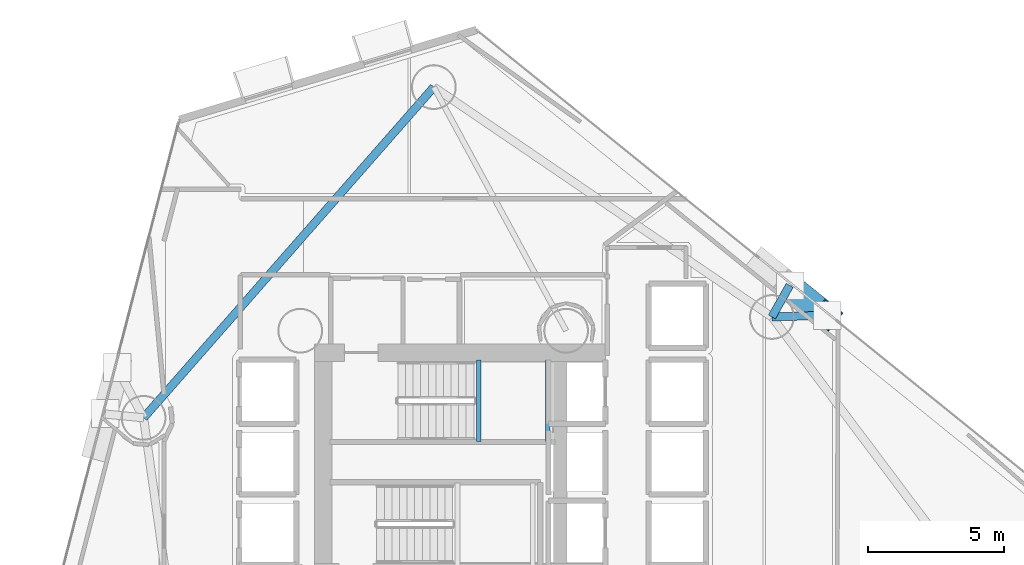
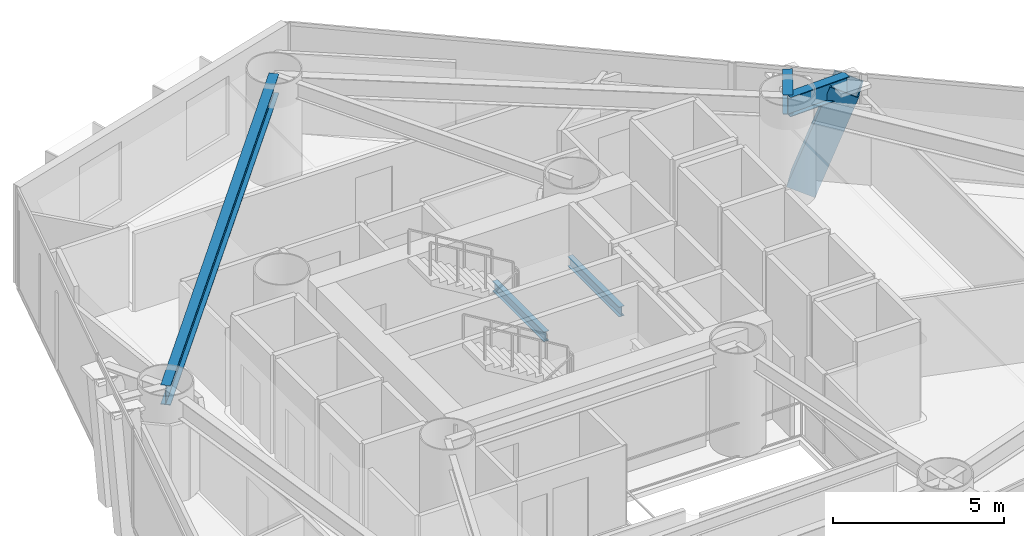
# One storey, part 8 of 23: 5 beams, 1 member.
"""IFC4 building model written with IfcOpenShell, lengths in metres."""

from ifc_helpers import new_model, si_unit, direction, frame, origin, origin_2d, place, context, subcontext, project, spatial, hollow_rectangle, i_section, extrude, material, material_profile, profile_set, type_object, element, save


model = new_model("IFC4")

# Units and contexts
model_context = context("Model", 3, precision=1e-05, world=origin(), true_north=direction((0.0, 1.0)))
body_context = subcontext(model_context, "Body", "Model", "MODEL_VIEW")
ifc_project = project(units=[si_unit("LENGTHUNIT", "METRE"), si_unit("AREAUNIT", "SQUARE_METRE"), si_unit("VOLUMEUNIT", "CUBIC_METRE"), si_unit("PLANEANGLEUNIT", "RADIAN"), si_unit("MASSUNIT", "GRAM", prefix="KILO")], contexts=[model_context])

# Site, building, storey
site_placement = place(None, origin())
site = spatial("IfcSite", under=ifc_project, at=site_placement, CompositionType="ELEMENT")
building_placement = place(site_placement, origin())
building = spatial("IfcBuilding", under=site, at=building_placement, Name="Qianvela Tower", CompositionType="ELEMENT")
storey_placement = place(building_placement, frame((0.0, 0.0, 82.10009765625)))
storey = spatial("IfcBuildingStorey", under=building, at=storey_placement, Name="L20", CompositionType="ELEMENT", Elevation=82.10009765625)

# Beams
ifc_material_1 = material(Name="Steel Q355B", Category="steel")
ifc_material_profile_1 = material_profile(ifc_material_1, i_section(OverallWidth=0.175048828125, OverallDepth=0.35009765625, WebThickness=0.007080078125, FlangeThickness=0.010986328125, at=origin_2d()), Name="HN350x175x7x11")
ifc_profile_set_1 = profile_set([ifc_material_profile_1], Name="Steel Q355B")
beam_type_1 = type_object("IfcBeamType", Name="BM-HN350-JOIST", PredefinedType="JOIST", material=ifc_profile_set_1)
for number, where, z_axis, x_axis, name in (
    (1, (35.179931640625, 29.4599609375, 1.474853515625), (0.0, 1.0, 0.0), (-1.0, 0.0, 0.0), "L20 Stair ST-1 Landing Support Beam 1.1"),
    (2, (37.719970703125, 29.4599609375, 1.474853515625), (0.0, 1.0, 0.0), (-1.0, 0.0, 0.0), "L20 Stair ST-1 Landing Support Beam 1.2"),
):
    element("IfcBeam", number, at=place(storey_placement, frame(where, z_axis=z_axis, x_axis=x_axis)), inside=storey, type_object=beam_type_1, Name=name, PredefinedType="JOIST", context=body_context, shape_type="SweptSolid", body=[
        extrude(i_section(OverallWidth=0.175048828125, OverallDepth=0.35009765625, WebThickness=0.007080078125, FlangeThickness=0.010986328125, at=origin_2d()), origin(), (0.0, 0.0, 1.0), 3.02001953125),
    ])
ifc_material_2 = material(Name="Steel Q355B", Category="steel")
ifc_material_profile_2 = material_profile(ifc_material_2, i_section(OverallWidth=0.300048828125, OverallDepth=0.699951171875, WebThickness=0.012939453125, FlangeThickness=0.02392578125, at=origin_2d()), Name="HN700x300x13x24")
ifc_profile_set_2 = profile_set([ifc_material_profile_2], Name="Steel Q355B")
beam_type_2 = type_object("IfcBeamType", Name="BM-HN700-SPAND", PredefinedType="SPANDREL", material=ifc_profile_set_2)
beam_1_placement = place(storey_placement, frame((45.98388671875, 34.056884765625, 3.16796875), z_axis=(0.999488485466, 0.031980735166, 0.0), x_axis=(-0.031980735166, 0.999488485466, 0.0)))
element("IfcBeam", 3, at=beam_1_placement, inside=storey, type_object=beam_type_2, Name="L20 Mega-Brace Column Tie Bracket F1-1", PredefinedType="SPANDREL", context=body_context, shape_type="SweptSolid", body=[
    extrude(i_section(OverallWidth=0.300048828125, OverallDepth=0.699951171875, WebThickness=0.012939453125, FlangeThickness=0.02392578125, at=origin_2d()), origin(), (0.0, 0.0, 1.0), 2.02294921875),
])
beam_2_placement = place(storey_placement, frame((45.98388671875, 34.056884765625, 3.16796875), z_axis=(0.491732677152, 0.870746216886, 0.0), x_axis=(-0.870746216886, 0.491732677152, 0.0)))
element("IfcBeam", 4, at=beam_2_placement, inside=storey, type_object=beam_type_2, Name="L20 Mega-Brace Column Tie Bracket F1-2", PredefinedType="SPANDREL", context=body_context, shape_type="SweptSolid", body=[
    extrude(i_section(OverallWidth=0.300048828125, OverallDepth=0.699951171875, WebThickness=0.012939453125, FlangeThickness=0.02392578125, at=origin_2d()), origin(), (0.0, 0.0, 1.0), 1.338623046875),
])
beam_3_placement = place(storey_placement, frame((33.52587890625, 42.529052734375, 3.16796875), z_axis=(-0.659601693124, -0.751615331422, 0.0), x_axis=(0.751615331422, -0.659601693124, 0.0)))
element("IfcBeam", 5, at=beam_3_placement, inside=storey, type_object=beam_type_2, Name="L20 Perimeter Ring Spandrel Girder 3", PredefinedType="SPANDREL", context=body_context, shape_type="SweptSolid", body=[
    extrude(i_section(OverallWidth=0.300048828125, OverallDepth=0.699951171875, WebThickness=0.012939453125, FlangeThickness=0.02392578125, at=origin_2d()), origin(), (0.0, 0.0, 1.0), 16.217041015625),
])

# Member
ifc_material_3 = material(Name="Steel Q420GJC", Category="steel")
ifc_material_profile_3 = material_profile(ifc_material_3, hollow_rectangle(XDim=0.89990234375, YDim=0.89990234375, WallThickness=0.035888671875, at=origin_2d()), Name="MBOX-900x900x36")
ifc_profile_set_3 = profile_set([ifc_material_profile_3], Name="Steel Q420GJC")
member_type = type_object("IfcMemberType", Name="MBR-MBRACE-900", PredefinedType="BRACE", material=ifc_profile_set_3)
member_placement = place(storey_placement, frame((47.001953125, 34.93212890625, -0.531982421875), z_axis=(0.25619814918, -0.206852591264, 0.944232235122), x_axis=(0.628196159022, 0.778055001777, 0.0)))
element("IfcMember", 6, at=member_placement, inside=storey, type_object=member_type, Name="L20 Tier 3 Exterior Mega-Brace F1A", PredefinedType="BRACE", context=body_context, shape_type="SweptSolid", body=[
    extrude(hollow_rectangle(XDim=0.89990234375, YDim=0.89990234375, WallThickness=0.035888671875, at=origin_2d()), origin(), (0.0, 0.0, 1.0), 3.91845703125),
])

save(model, "model.ifc")
